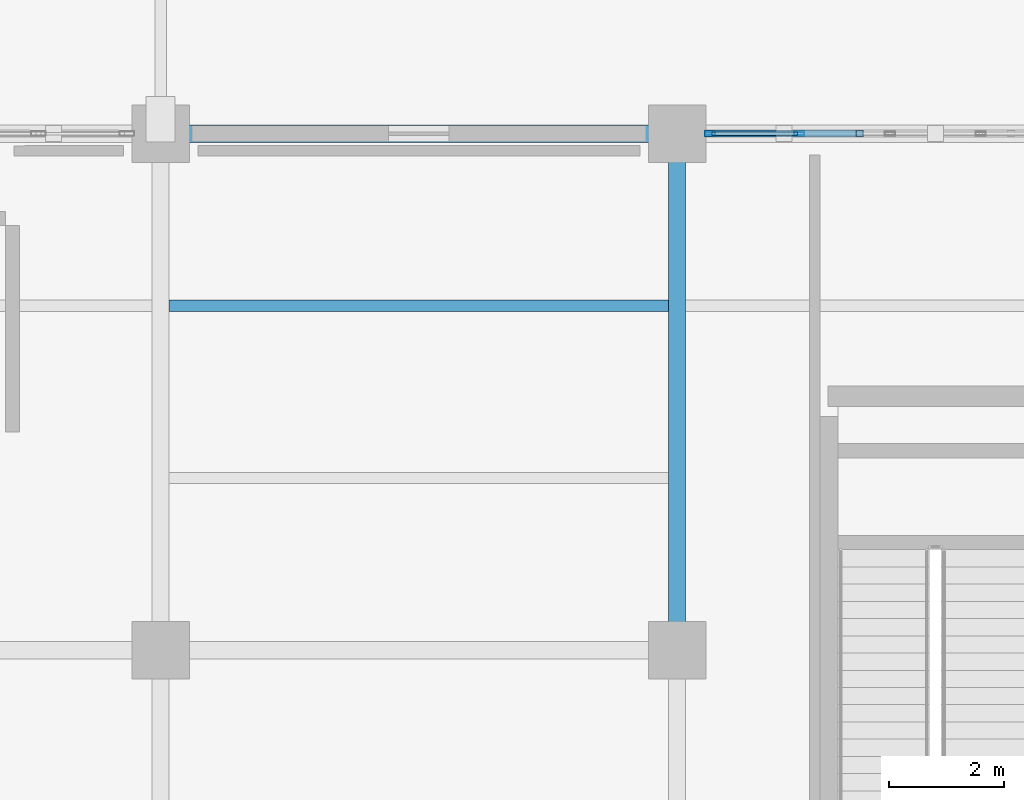
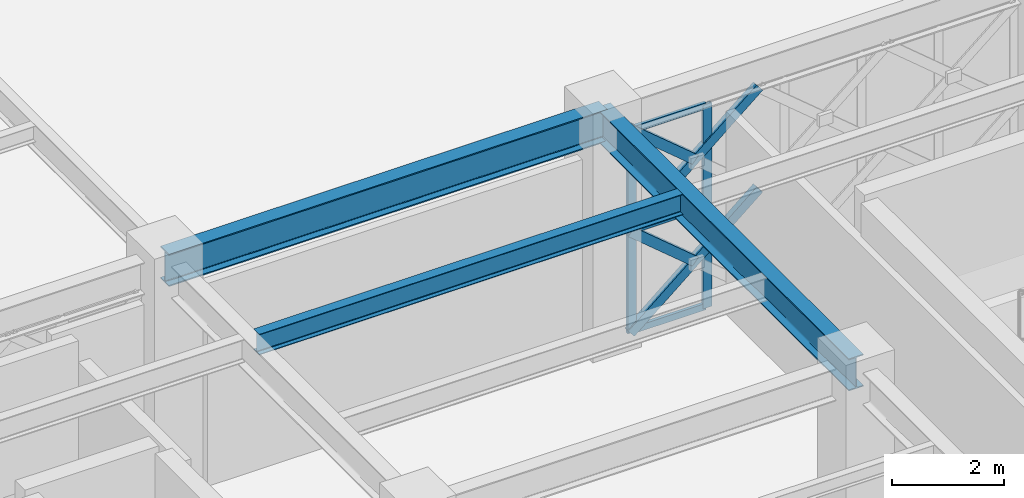
# One storey, part 19 of 140: 9 members, 3 beams, 1 element without a shape of its own.
"""IFC4 building model written with IfcOpenShell, lengths in metres."""

from ifc_helpers import new_model, si_unit, direction, frame, origin, origin_2d, place, context, subcontext, project, spatial, hollow_rectangle, i_section, extrude, material, material_profile, profile_set, type_object, element, aggregate, save


model = new_model("IFC4")

# Units and contexts
model_context = context("Model", 3, precision=1e-05, world=origin(), true_north=direction((0.0, 1.0)))
body_context = subcontext(model_context, "Body", "Model", "MODEL_VIEW")
ifc_project = project(units=[si_unit("LENGTHUNIT", "METRE"), si_unit("AREAUNIT", "SQUARE_METRE"), si_unit("VOLUMEUNIT", "CUBIC_METRE"), si_unit("PLANEANGLEUNIT", "RADIAN"), si_unit("MASSUNIT", "GRAM", prefix="KILO")], contexts=[model_context])

# Site, building, storey
site_placement = place(None, origin())
site = spatial("IfcSite", under=ifc_project, at=site_placement, CompositionType="ELEMENT")
building_placement = place(site_placement, origin())
building = spatial("IfcBuilding", under=site, at=building_placement, Name="Haizhuo Lancet Aquarium", CompositionType="ELEMENT")
storey_placement = place(building_placement, origin())
storey = spatial("IfcBuildingStorey", under=building, at=storey_placement, Name="L00", CompositionType="ELEMENT", Elevation=0.0)

# Beams
ifc_material_1 = material(Name="Steel S355", Category="steel")
ifc_material_profile_1 = material_profile(ifc_material_1, i_section(OverallWidth=0.300048828125, OverallDepth=0.699951171875, WebThickness=0.012939453125, FlangeThickness=0.02392578125, FilletRadius=0.02587890625, at=origin_2d()), Name="HN 700x300x13x24")
ifc_profile_set_1 = profile_set([ifc_material_profile_1], Name="Steel S355")
beam_type_1 = type_object("IfcBeamType", Name="BM-ST-HN700", PredefinedType="BEAM", material=ifc_profile_set_1)
for number, where, z_axis, x_axis, name in (
    (1, (-54.0, -9.0, 4.77001953125), (1.0, 0.0, 0.0), (0.0, 1.0, 0.0), "L00 V6 primary girder BM-L00-V6-020"),
    (2, (-45.0, -18.0, 4.77001953125), (0.0, 1.0, 0.0), (-1.0, 0.0, 0.0), "L00 V6 primary girder BM-L00-V6-025"),
):
    element("IfcBeam", number, at=place(storey_placement, frame(where, z_axis=z_axis, x_axis=x_axis)), inside=storey, type_object=beam_type_1, Name=name, PredefinedType="BEAM", context=body_context, shape_type="SweptSolid", body=[
        extrude(i_section(OverallWidth=0.300048828125, OverallDepth=0.699951171875, WebThickness=0.012939453125, FlangeThickness=0.02392578125, FilletRadius=0.02587890625, at=origin_2d()), origin(), (0.0, 0.0, 1.0), 9.0),
    ])

# Curtain wall, members
ifc_material_2 = material(Name="Aluminium 6063-T6", Category="aluminium")
curtain_wall_type = type_object("IfcCurtainWallType", Name="CWO-7910x4420", PredefinedType="NOTDEFINED", material=ifc_material_2)
curtain_wall_placement = place(storey_placement, origin())
curtain_wall = element("IfcCurtainWall", 3, at=curtain_wall_placement, inside=storey, type_object=curtain_wall_type, Name="L00 curtain wall CW-V6-L00-196", PredefinedType="NOTDEFINED")
ifc_material_profile_2 = material_profile(ifc_material_2, hollow_rectangle(XDim=0.06494140625, YDim=0.179931640625, WallThickness=0.00390625, at=origin_2d()), Name="ALU-M 65x180x4")
ifc_profile_set_2 = profile_set([ifc_material_profile_2], Name="Aluminium 6063-T6")
member_type_1 = type_object("IfcMemberType", Name="CW-MUL-1", PredefinedType="MULLION", material=ifc_profile_set_2)
member_1_placement = place(storey_placement, frame((-44.422119140625, -9.0, 0.0), z_axis=(0.0, 0.0, 1.0), x_axis=(0.0, 1.0, 0.0)))
member_1 = element("IfcMember", 4, at=member_1_placement, type_object=member_type_1, Name="CWO-79x44 mullion 1", PredefinedType="MULLION", context=body_context, shape_type="SweptSolid", body=[
    extrude(hollow_rectangle(XDim=0.06494140625, YDim=0.179931640625, WallThickness=0.00390625, at=origin_2d()), origin(), (0.0, 0.0, 1.0), 4.419921875),
])
member_2_placement = place(storey_placement, frame((-42.873046875, -9.0, 0.0), z_axis=(0.0, 0.0, 1.0), x_axis=(0.0, 1.0, 0.0)))
member_2 = element("IfcMember", 5, at=member_2_placement, type_object=member_type_1, Name="CWO-79x44 mullion 2", PredefinedType="MULLION", context=body_context, shape_type="SweptSolid", body=[
    extrude(hollow_rectangle(XDim=0.06494140625, YDim=0.179931640625, WallThickness=0.00390625, at=origin_2d()), origin(), (0.0, 0.0, 1.0), 4.419921875),
])
ifc_material_profile_3 = material_profile(ifc_material_2, hollow_rectangle(XDim=0.06494140625, YDim=0.139892578125, WallThickness=0.00390625, at=origin_2d()), Name="ALU-T 65x140x4")
ifc_profile_set_3 = profile_set([ifc_material_profile_3], Name="Aluminium 6063-T6")
member_type_2 = type_object("IfcMemberType", Name="CW-TRN-1", PredefinedType="NOTDEFINED", material=ifc_profile_set_3)
member_3_placement = place(storey_placement, frame((-44.389892578125, -9.0, 0.032958984375), z_axis=(1.0, 0.0, 0.0), x_axis=(0.0, 1.0, 0.0)))
member_3 = element("IfcMember", 6, at=member_3_placement, type_object=member_type_2, Name="CWO-79x44 transom 1.1", ObjectType="TRANSOM", PredefinedType="USERDEFINED", context=body_context, shape_type="SweptSolid", body=[
    extrude(hollow_rectangle(XDim=0.06494140625, YDim=0.139892578125, WallThickness=0.00390625, at=origin_2d()), origin(), (0.0, 0.0, 1.0), 1.48486328125),
])
member_4_placement = place(storey_placement, frame((-44.389892578125, -9.0, 2.2099609375), z_axis=(1.0, 0.0, 0.0), x_axis=(0.0, 1.0, 0.0)))
member_4 = element("IfcMember", 7, at=member_4_placement, type_object=member_type_2, Name="CWO-79x44 transom 1.2", ObjectType="TRANSOM", PredefinedType="USERDEFINED", context=body_context, shape_type="SweptSolid", body=[
    extrude(hollow_rectangle(XDim=0.06494140625, YDim=0.139892578125, WallThickness=0.00390625, at=origin_2d()), origin(), (0.0, 0.0, 1.0), 1.48486328125),
])
member_5_placement = place(storey_placement, frame((-44.389892578125, -9.0, 4.387939453125), z_axis=(1.0, 0.0, 0.0), x_axis=(0.0, 1.0, 0.0)))
member_5 = element("IfcMember", 8, at=member_5_placement, type_object=member_type_2, Name="CWO-79x44 transom 1.3", ObjectType="TRANSOM", PredefinedType="USERDEFINED", context=body_context, shape_type="SweptSolid", body=[
    extrude(hollow_rectangle(XDim=0.06494140625, YDim=0.139892578125, WallThickness=0.00390625, at=origin_2d()), origin(), (0.0, 0.0, 1.0), 1.48486328125),
])
aggregate(curtain_wall, [member_1, member_2, member_3, member_4, member_5])

# Beam
ifc_material_profile_4 = material_profile(ifc_material_1, i_section(OverallWidth=0.199951171875, OverallDepth=0.449951171875, WebThickness=0.009033203125, FlangeThickness=0.013916015625, FilletRadius=0.01806640625, at=origin_2d()), Name="HN 450x200x9x14")
ifc_profile_set_4 = profile_set([ifc_material_profile_4], Name="Steel S355")
beam_type_2 = type_object("IfcBeamType", Name="JST-ST-HN450", PredefinedType="JOIST", material=ifc_profile_set_4)
beam_placement = place(storey_placement, frame((-53.85009765625, -12.0, 4.89501953125), z_axis=(1.0, 0.0, 0.0), x_axis=(0.0, 1.0, 0.0)))
element("IfcBeam", 9, at=beam_placement, inside=storey, type_object=beam_type_2, Name="L00 V6 secondary floor joist 15", PredefinedType="JOIST", context=body_context, shape_type="SweptSolid", body=[
    extrude(i_section(OverallWidth=0.199951171875, OverallDepth=0.449951171875, WebThickness=0.009033203125, FlangeThickness=0.013916015625, FilletRadius=0.01806640625, at=origin_2d()), origin(), (0.0, 0.0, 1.0), 8.7001953125),
])

# Members
ifc_material_profile_5 = material_profile(ifc_material_1, hollow_rectangle(XDim=0.1201171875, YDim=0.199951171875, WallThickness=0.008056640625, at=origin_2d()), Name="RHS 120x200x8")
ifc_profile_set_5 = profile_set([ifc_material_profile_5], Name="Steel S355")
member_type_3 = type_object("IfcMemberType", Name="MEM-LB-RHS120x200", PredefinedType="BRACE", material=ifc_profile_set_5)
member_6_placement = place(storey_placement, frame((-44.455078125, -9.0, 0.0), z_axis=(0.766432673157, 0.0, 0.642324651182), x_axis=(0.0, 1.0, 0.0)))
element("IfcMember", 10, at=member_6_placement, inside=storey, type_object=member_type_3, Name="Gothic lancet continuous diagonal brace CW-V6-L00-196 1A", PredefinedType="BRACE", context=body_context, shape_type="SweptSolid", body=[
    extrude(hollow_rectangle(XDim=0.1201171875, YDim=0.199951171875, WallThickness=0.008056640625, at=origin_2d()), origin(), (0.0, 0.0, 1.0), 3.440673828125),
])
member_7_placement = place(storey_placement, frame((-43.135986328125, -9.0, 1.10498046875), z_axis=(-0.76657899599, 0.0, 0.64215001589), x_axis=(0.0, -1.0, 0.0)))
element("IfcMember", 11, at=member_7_placement, inside=storey, type_object=member_type_3, Name="Gothic lancet split diagonal brace CW-V6-L00-196 1B2", PredefinedType="BRACE", context=body_context, shape_type="SweptSolid", body=[
    extrude(hollow_rectangle(XDim=0.1201171875, YDim=0.199951171875, WallThickness=0.008056640625, at=origin_2d()), origin(), (0.0, 0.0, 1.0), 1.720703125),
])
member_8_placement = place(storey_placement, frame((-44.455078125, -9.0, 2.2099609375), z_axis=(0.766432673157, 0.0, 0.642324651182), x_axis=(0.0, 1.0, 0.0)))
element("IfcMember", 12, at=member_8_placement, inside=storey, type_object=member_type_3, Name="Gothic lancet continuous diagonal brace CW-V6-L00-196 2A", PredefinedType="BRACE", context=body_context, shape_type="SweptSolid", body=[
    extrude(hollow_rectangle(XDim=0.1201171875, YDim=0.199951171875, WallThickness=0.008056640625, at=origin_2d()), origin(), (0.0, 0.0, 1.0), 3.440673828125),
])
member_9_placement = place(storey_placement, frame((-43.135986328125, -9.0, 3.31494140625), z_axis=(-0.76657899599, 0.0, 0.64215001589), x_axis=(0.0, -1.0, 0.0)))
element("IfcMember", 13, at=member_9_placement, inside=storey, type_object=member_type_3, Name="Gothic lancet split diagonal brace CW-V6-L00-196 2B2", PredefinedType="BRACE", context=body_context, shape_type="SweptSolid", body=[
    extrude(hollow_rectangle(XDim=0.1201171875, YDim=0.199951171875, WallThickness=0.008056640625, at=origin_2d()), origin(), (0.0, 0.0, 1.0), 1.720703125),
])

save(model, "model.ifc")
